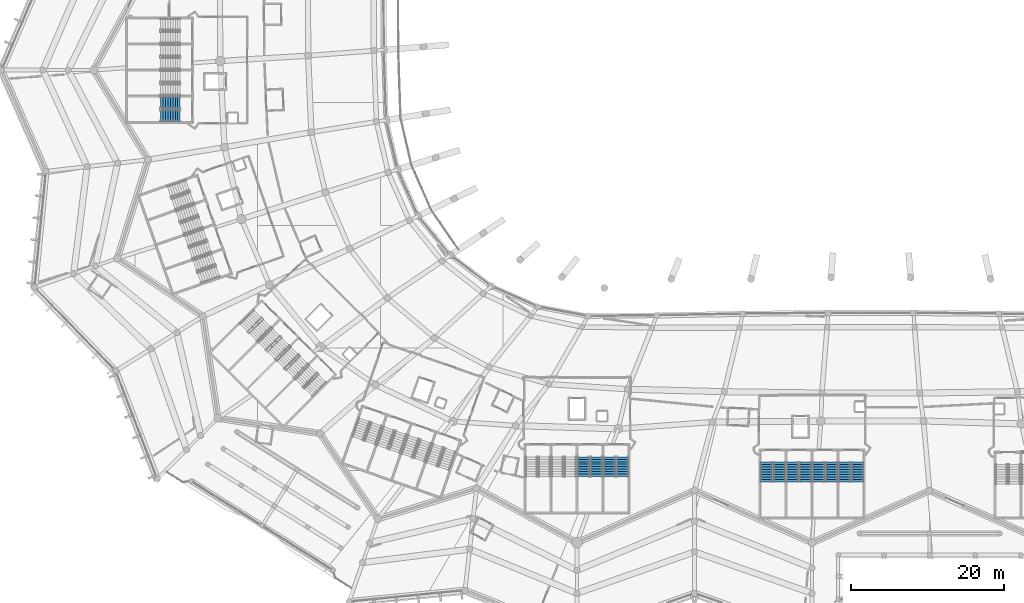
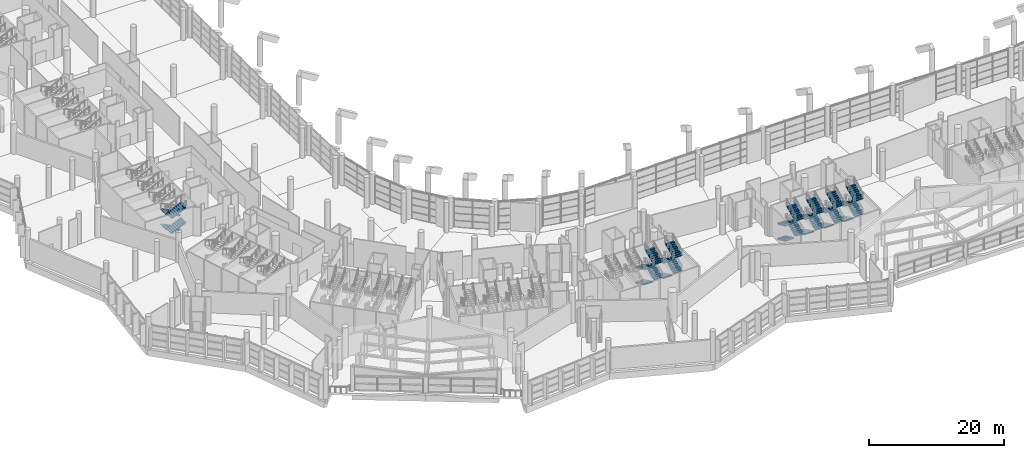
# One storey, part 207 of 271: 28 stair flights, 7 elements without a shape of their own.
"""IFC4 building model written with IfcOpenShell, lengths in metres."""

from ifc_helpers import new_model, si_unit, direction, frame, origin, place, context, subcontext, project, spatial, polyline, outline, extrude, material, type_object, element, aggregate, save


model = new_model("IFC4")

# Units and contexts
model_context = context("Model", 3, precision=1e-05, world=origin(), true_north=direction((0.0, 1.0)))
body_context = subcontext(model_context, "Body", "Model", "MODEL_VIEW")
ifc_project = project(units=[si_unit("LENGTHUNIT", "METRE"), si_unit("AREAUNIT", "SQUARE_METRE"), si_unit("VOLUMEUNIT", "CUBIC_METRE"), si_unit("PLANEANGLEUNIT", "RADIAN"), si_unit("MASSUNIT", "GRAM", prefix="KILO")], contexts=[model_context])

# Site, building, storey
site_placement = place(None, origin())
site = spatial("IfcSite", under=ifc_project, at=site_placement, CompositionType="ELEMENT")
building_placement = place(site_placement, origin())
building = spatial("IfcBuilding", under=site, at=building_placement, Name="Meseta Stadium", CompositionType="ELEMENT")
storey_placement = place(building_placement, frame((0.0, 0.0, 6.5)))
storey = spatial("IfcBuildingStorey", under=building, at=storey_placement, Name="L01", CompositionType="ELEMENT", Elevation=6.5)

# Stair, stair flights
ifc_material_1 = material(Name="Concrete C40/50", Category="concrete")
stair_type = type_object("IfcStairType", Name="Exit stair 4 flights 153 mm risers", PredefinedType="HALF_TURN_STAIR", material=ifc_material_1)
stair_1_placement = place(storey_placement, origin())
stair_1 = element("IfcStair", 1, at=stair_1_placement, inside=storey, type_object=stair_type, Name="ST76 L01", PredefinedType="HALF_TURN_STAIR")
ifc_material_2 = material(Name="Concrete C40/50", Category="concrete")
stair_flight_type = type_object("IfcStairFlightType", Name="Exit stair flight 153 mm risers, 4 per storey", PredefinedType="STRAIGHT", material=ifc_material_2)
stair_flight_1_placement = place(storey_placement, frame((-90.10009765625, -48.0, 0.0), z_axis=(0.0, 0.0, 1.0), x_axis=(-1.0, 0.0, 0.0)))
stair_flight_1 = element("IfcStairFlight", 2, at=stair_flight_1_placement, type_object=stair_flight_type, Name="ST76 L01 flight 1", NumberOfRisers=9, NumberOfTreads=8, PredefinedType="STRAIGHT", RiserHeight=0.152777778, TreadLength=0.32, context=body_context, shape_type="SweptSolid", body=[
    extrude(outline(polyline([(0.0, 0.0), (0.0, 0.15283203125), (0.320068359375, 0.15283203125), (0.320068359375, 0.3056640625), (0.639892578125, 0.3056640625), (0.639892578125, 0.458251953125), (0.9599609375, 0.458251953125), (0.9599609375, 0.611083984375), (1.280029296875, 0.611083984375), (1.280029296875, 0.763916015625), (1.60009765625, 0.763916015625), (1.60009765625, 0.916748046875), (1.919921875, 0.916748046875), (1.919921875, 1.0693359375), (2.239990234375, 1.0693359375), (2.239990234375, 1.22216796875), (2.56005859375, 1.22216796875), (2.56005859375, 1.05615234375), (0.347900390625, 0.0), (0.0, 0.0)])), frame((0.0, 0.75, 0.0), z_axis=(0.0, -1.0, 0.0), x_axis=(1.0, 0.0, 0.0)), (0.0, 0.0, 1.0), 1.5),
])
stair_flight_2_placement = place(storey_placement, frame((-92.659912109375, -49.699951171875, 1.375), z_axis=(0.0, 0.0, 1.0), x_axis=(1.0, 0.0, 0.0)))
stair_flight_2 = element("IfcStairFlight", 3, at=stair_flight_2_placement, type_object=stair_flight_type, Name="ST76 L01 flight 2", NumberOfRisers=9, NumberOfTreads=8, PredefinedType="STRAIGHT", RiserHeight=0.152777778, TreadLength=0.32, context=body_context, shape_type="SweptSolid", body=[
    extrude(outline(polyline([(0.0, 0.0), (0.0, 0.15283203125), (0.320068359375, 0.15283203125), (0.320068359375, 0.3056640625), (0.639892578125, 0.3056640625), (0.639892578125, 0.458251953125), (0.9599609375, 0.458251953125), (0.9599609375, 0.611083984375), (1.280029296875, 0.611083984375), (1.280029296875, 0.763916015625), (1.60009765625, 0.763916015625), (1.60009765625, 0.916748046875), (1.919921875, 0.916748046875), (1.919921875, 1.0693359375), (2.239990234375, 1.0693359375), (2.239990234375, 1.22216796875), (2.56005859375, 1.22216796875), (2.56005859375, 1.05615234375), (0.347900390625, 0.0), (0.0, 0.0)])), frame((0.0, 0.75, 0.0), z_axis=(0.0, -1.0, 0.0), x_axis=(1.0, 0.0, 0.0)), (0.0, 0.0, 1.0), 1.5),
])
stair_flight_3_placement = place(storey_placement, frame((-90.10009765625, -48.0, 2.75), z_axis=(0.0, 0.0, 1.0), x_axis=(-1.0, 0.0, 0.0)))
stair_flight_3 = element("IfcStairFlight", 4, at=stair_flight_3_placement, type_object=stair_flight_type, Name="ST76 L01 flight 3", NumberOfRisers=9, NumberOfTreads=8, PredefinedType="STRAIGHT", RiserHeight=0.152777778, TreadLength=0.32, context=body_context, shape_type="SweptSolid", body=[
    extrude(outline(polyline([(0.0, 0.0), (0.0, 0.15283203125), (0.320068359375, 0.15283203125), (0.320068359375, 0.3056640625), (0.639892578125, 0.3056640625), (0.639892578125, 0.458251953125), (0.9599609375, 0.458251953125), (0.9599609375, 0.611083984375), (1.280029296875, 0.611083984375), (1.280029296875, 0.763916015625), (1.60009765625, 0.763916015625), (1.60009765625, 0.916748046875), (1.919921875, 0.916748046875), (1.919921875, 1.0693359375), (2.239990234375, 1.0693359375), (2.239990234375, 1.22216796875), (2.56005859375, 1.22216796875), (2.56005859375, 1.05615234375), (0.347900390625, 0.0), (0.0, 0.0)])), frame((0.0, 0.75, 0.0), z_axis=(0.0, -1.0, 0.0), x_axis=(1.0, 0.0, 0.0)), (0.0, 0.0, 1.0), 1.5),
])
stair_flight_4_placement = place(storey_placement, frame((-92.659912109375, -49.699951171875, 4.125), z_axis=(0.0, 0.0, 1.0), x_axis=(1.0, 0.0, 0.0)))
stair_flight_4 = element("IfcStairFlight", 5, at=stair_flight_4_placement, type_object=stair_flight_type, Name="ST76 L01 flight 4", NumberOfRisers=9, NumberOfTreads=8, PredefinedType="STRAIGHT", RiserHeight=0.152777778, TreadLength=0.32, context=body_context, shape_type="SweptSolid", body=[
    extrude(outline(polyline([(0.0, 0.0), (0.0, 0.15283203125), (0.320068359375, 0.15283203125), (0.320068359375, 0.3056640625), (0.639892578125, 0.3056640625), (0.639892578125, 0.458251953125), (0.9599609375, 0.458251953125), (0.9599609375, 0.611083984375), (1.280029296875, 0.611083984375), (1.280029296875, 0.763916015625), (1.60009765625, 0.763916015625), (1.60009765625, 0.916748046875), (1.919921875, 0.916748046875), (1.919921875, 1.0693359375), (2.239990234375, 1.0693359375), (2.239990234375, 1.22216796875), (2.56005859375, 1.22216796875), (2.56005859375, 1.05615234375), (0.347900390625, 0.0), (0.0, 0.0)])), frame((0.0, 0.75, 0.0), z_axis=(0.0, -1.0, 0.0), x_axis=(1.0, 0.0, 0.0)), (0.0, 0.0, 1.0), 1.5),
])
aggregate(stair_1, [stair_flight_1, stair_flight_2, stair_flight_3, stair_flight_4])

stair_2_placement = place(storey_placement, origin())
stair_2 = element("IfcStair", 6, at=stair_2_placement, inside=storey, type_object=stair_type, Name="ST91 L01", PredefinedType="HALF_TURN_STAIR")
stair_flight_5_placement = place(storey_placement, frame((-37.4833984375, -94.199951171875, 0.0), z_axis=(0.0, 0.0, 1.0), x_axis=(0.0, -1.0, 0.0)))
stair_flight_5 = element("IfcStairFlight", 7, at=stair_flight_5_placement, type_object=stair_flight_type, Name="ST91 L01 flight 1", NumberOfRisers=9, NumberOfTreads=8, PredefinedType="STRAIGHT", RiserHeight=0.152777778, TreadLength=0.32, context=body_context, shape_type="SweptSolid", body=[
    extrude(outline(polyline([(0.0, 0.0), (0.0, 0.15283203125), (0.320068359375, 0.15283203125), (0.320068359375, 0.3056640625), (0.639892578125, 0.3056640625), (0.639892578125, 0.458251953125), (0.9599609375, 0.458251953125), (0.9599609375, 0.611083984375), (1.280029296875, 0.611083984375), (1.280029296875, 0.763916015625), (1.60009765625, 0.763916015625), (1.60009765625, 0.916748046875), (1.919921875, 0.916748046875), (1.919921875, 1.0693359375), (2.239990234375, 1.0693359375), (2.239990234375, 1.22216796875), (2.56005859375, 1.22216796875), (2.56005859375, 1.05615234375), (0.347900390625, 0.0), (0.0, 0.0)])), frame((0.0, 0.75, 0.0), z_axis=(0.0, -1.0, 0.0), x_axis=(1.0, 0.0, 0.0)), (0.0, 0.0, 1.0), 1.5),
])
stair_flight_6_placement = place(storey_placement, frame((-35.783447265625, -96.760009765625, 1.375), z_axis=(0.0, 0.0, 1.0), x_axis=(0.0, 1.0, 0.0)))
stair_flight_6 = element("IfcStairFlight", 8, at=stair_flight_6_placement, type_object=stair_flight_type, Name="ST91 L01 flight 2", NumberOfRisers=9, NumberOfTreads=8, PredefinedType="STRAIGHT", RiserHeight=0.152777778, TreadLength=0.32, context=body_context, shape_type="SweptSolid", body=[
    extrude(outline(polyline([(0.0, 0.0), (0.0, 0.15283203125), (0.320068359375, 0.15283203125), (0.320068359375, 0.3056640625), (0.639892578125, 0.3056640625), (0.639892578125, 0.458251953125), (0.9599609375, 0.458251953125), (0.9599609375, 0.611083984375), (1.280029296875, 0.611083984375), (1.280029296875, 0.763916015625), (1.60009765625, 0.763916015625), (1.60009765625, 0.916748046875), (1.919921875, 0.916748046875), (1.919921875, 1.0693359375), (2.239990234375, 1.0693359375), (2.239990234375, 1.22216796875), (2.56005859375, 1.22216796875), (2.56005859375, 1.05615234375), (0.347900390625, 0.0), (0.0, 0.0)])), frame((0.0, 0.75, 0.0), z_axis=(0.0, -1.0, 0.0), x_axis=(1.0, 0.0, 0.0)), (0.0, 0.0, 1.0), 1.5),
])
stair_flight_7_placement = place(storey_placement, frame((-37.4833984375, -94.199951171875, 2.75), z_axis=(0.0, 0.0, 1.0), x_axis=(0.0, -1.0, 0.0)))
stair_flight_7 = element("IfcStairFlight", 9, at=stair_flight_7_placement, type_object=stair_flight_type, Name="ST91 L01 flight 3", NumberOfRisers=9, NumberOfTreads=8, PredefinedType="STRAIGHT", RiserHeight=0.152777778, TreadLength=0.32, context=body_context, shape_type="SweptSolid", body=[
    extrude(outline(polyline([(0.0, 0.0), (0.0, 0.15283203125), (0.320068359375, 0.15283203125), (0.320068359375, 0.3056640625), (0.639892578125, 0.3056640625), (0.639892578125, 0.458251953125), (0.9599609375, 0.458251953125), (0.9599609375, 0.611083984375), (1.280029296875, 0.611083984375), (1.280029296875, 0.763916015625), (1.60009765625, 0.763916015625), (1.60009765625, 0.916748046875), (1.919921875, 0.916748046875), (1.919921875, 1.0693359375), (2.239990234375, 1.0693359375), (2.239990234375, 1.22216796875), (2.56005859375, 1.22216796875), (2.56005859375, 1.05615234375), (0.347900390625, 0.0), (0.0, 0.0)])), frame((0.0, 0.75, 0.0), z_axis=(0.0, -1.0, 0.0), x_axis=(1.0, 0.0, 0.0)), (0.0, 0.0, 1.0), 1.5),
])
stair_flight_8_placement = place(storey_placement, frame((-35.783447265625, -96.760009765625, 4.125), z_axis=(0.0, 0.0, 1.0), x_axis=(0.0, 1.0, 0.0)))
stair_flight_8 = element("IfcStairFlight", 10, at=stair_flight_8_placement, type_object=stair_flight_type, Name="ST91 L01 flight 4", NumberOfRisers=9, NumberOfTreads=8, PredefinedType="STRAIGHT", RiserHeight=0.152777778, TreadLength=0.32, context=body_context, shape_type="SweptSolid", body=[
    extrude(outline(polyline([(0.0, 0.0), (0.0, 0.15283203125), (0.320068359375, 0.15283203125), (0.320068359375, 0.3056640625), (0.639892578125, 0.3056640625), (0.639892578125, 0.458251953125), (0.9599609375, 0.458251953125), (0.9599609375, 0.611083984375), (1.280029296875, 0.611083984375), (1.280029296875, 0.763916015625), (1.60009765625, 0.763916015625), (1.60009765625, 0.916748046875), (1.919921875, 0.916748046875), (1.919921875, 1.0693359375), (2.239990234375, 1.0693359375), (2.239990234375, 1.22216796875), (2.56005859375, 1.22216796875), (2.56005859375, 1.05615234375), (0.347900390625, 0.0), (0.0, 0.0)])), frame((0.0, 0.75, 0.0), z_axis=(0.0, -1.0, 0.0), x_axis=(1.0, 0.0, 0.0)), (0.0, 0.0, 1.0), 1.5),
])
aggregate(stair_2, [stair_flight_5, stair_flight_6, stair_flight_7, stair_flight_8])

stair_3_placement = place(storey_placement, origin())
stair_3 = element("IfcStair", 11, at=stair_3_placement, inside=storey, type_object=stair_type, Name="ST92 L01", PredefinedType="HALF_TURN_STAIR")
stair_flight_9_placement = place(storey_placement, frame((-34.083251953125, -94.199951171875, 0.0), z_axis=(0.0, 0.0, 1.0), x_axis=(0.0, -1.0, 0.0)))
stair_flight_9 = element("IfcStairFlight", 12, at=stair_flight_9_placement, type_object=stair_flight_type, Name="ST92 L01 flight 1", NumberOfRisers=9, NumberOfTreads=8, PredefinedType="STRAIGHT", RiserHeight=0.152777778, TreadLength=0.32, context=body_context, shape_type="SweptSolid", body=[
    extrude(outline(polyline([(0.0, 0.0), (0.0, 0.15283203125), (0.320068359375, 0.15283203125), (0.320068359375, 0.3056640625), (0.639892578125, 0.3056640625), (0.639892578125, 0.458251953125), (0.9599609375, 0.458251953125), (0.9599609375, 0.611083984375), (1.280029296875, 0.611083984375), (1.280029296875, 0.763916015625), (1.60009765625, 0.763916015625), (1.60009765625, 0.916748046875), (1.919921875, 0.916748046875), (1.919921875, 1.0693359375), (2.239990234375, 1.0693359375), (2.239990234375, 1.22216796875), (2.56005859375, 1.22216796875), (2.56005859375, 1.05615234375), (0.347900390625, 0.0), (0.0, 0.0)])), frame((0.0, 0.75, 0.0), z_axis=(0.0, -1.0, 0.0), x_axis=(1.0, 0.0, 0.0)), (0.0, 0.0, 1.0), 1.5),
])
stair_flight_10_placement = place(storey_placement, frame((-32.38330078125, -96.760009765625, 1.375), z_axis=(0.0, 0.0, 1.0), x_axis=(0.0, 1.0, 0.0)))
stair_flight_10 = element("IfcStairFlight", 13, at=stair_flight_10_placement, type_object=stair_flight_type, Name="ST92 L01 flight 2", NumberOfRisers=9, NumberOfTreads=8, PredefinedType="STRAIGHT", RiserHeight=0.152777778, TreadLength=0.32, context=body_context, shape_type="SweptSolid", body=[
    extrude(outline(polyline([(0.0, 0.0), (0.0, 0.15283203125), (0.320068359375, 0.15283203125), (0.320068359375, 0.3056640625), (0.639892578125, 0.3056640625), (0.639892578125, 0.458251953125), (0.9599609375, 0.458251953125), (0.9599609375, 0.611083984375), (1.280029296875, 0.611083984375), (1.280029296875, 0.763916015625), (1.60009765625, 0.763916015625), (1.60009765625, 0.916748046875), (1.919921875, 0.916748046875), (1.919921875, 1.0693359375), (2.239990234375, 1.0693359375), (2.239990234375, 1.22216796875), (2.56005859375, 1.22216796875), (2.56005859375, 1.05615234375), (0.347900390625, 0.0), (0.0, 0.0)])), frame((0.0, 0.75, 0.0), z_axis=(0.0, -1.0, 0.0), x_axis=(1.0, 0.0, 0.0)), (0.0, 0.0, 1.0), 1.5),
])
stair_flight_11_placement = place(storey_placement, frame((-34.083251953125, -94.199951171875, 2.75), z_axis=(0.0, 0.0, 1.0), x_axis=(0.0, -1.0, 0.0)))
stair_flight_11 = element("IfcStairFlight", 14, at=stair_flight_11_placement, type_object=stair_flight_type, Name="ST92 L01 flight 3", NumberOfRisers=9, NumberOfTreads=8, PredefinedType="STRAIGHT", RiserHeight=0.152777778, TreadLength=0.32, context=body_context, shape_type="SweptSolid", body=[
    extrude(outline(polyline([(0.0, 0.0), (0.0, 0.15283203125), (0.320068359375, 0.15283203125), (0.320068359375, 0.3056640625), (0.639892578125, 0.3056640625), (0.639892578125, 0.458251953125), (0.9599609375, 0.458251953125), (0.9599609375, 0.611083984375), (1.280029296875, 0.611083984375), (1.280029296875, 0.763916015625), (1.60009765625, 0.763916015625), (1.60009765625, 0.916748046875), (1.919921875, 0.916748046875), (1.919921875, 1.0693359375), (2.239990234375, 1.0693359375), (2.239990234375, 1.22216796875), (2.56005859375, 1.22216796875), (2.56005859375, 1.05615234375), (0.347900390625, 0.0), (0.0, 0.0)])), frame((0.0, 0.75, 0.0), z_axis=(0.0, -1.0, 0.0), x_axis=(1.0, 0.0, 0.0)), (0.0, 0.0, 1.0), 1.5),
])
stair_flight_12_placement = place(storey_placement, frame((-32.38330078125, -96.760009765625, 4.125), z_axis=(0.0, 0.0, 1.0), x_axis=(0.0, 1.0, 0.0)))
stair_flight_12 = element("IfcStairFlight", 15, at=stair_flight_12_placement, type_object=stair_flight_type, Name="ST92 L01 flight 4", NumberOfRisers=9, NumberOfTreads=8, PredefinedType="STRAIGHT", RiserHeight=0.152777778, TreadLength=0.32, context=body_context, shape_type="SweptSolid", body=[
    extrude(outline(polyline([(0.0, 0.0), (0.0, 0.15283203125), (0.320068359375, 0.15283203125), (0.320068359375, 0.3056640625), (0.639892578125, 0.3056640625), (0.639892578125, 0.458251953125), (0.9599609375, 0.458251953125), (0.9599609375, 0.611083984375), (1.280029296875, 0.611083984375), (1.280029296875, 0.763916015625), (1.60009765625, 0.763916015625), (1.60009765625, 0.916748046875), (1.919921875, 0.916748046875), (1.919921875, 1.0693359375), (2.239990234375, 1.0693359375), (2.239990234375, 1.22216796875), (2.56005859375, 1.22216796875), (2.56005859375, 1.05615234375), (0.347900390625, 0.0), (0.0, 0.0)])), frame((0.0, 0.75, 0.0), z_axis=(0.0, -1.0, 0.0), x_axis=(1.0, 0.0, 0.0)), (0.0, 0.0, 1.0), 1.5),
])
aggregate(stair_3, [stair_flight_9, stair_flight_10, stair_flight_11, stair_flight_12])

stair_4_placement = place(storey_placement, origin())
stair_4 = element("IfcStair", 16, at=stair_4_placement, inside=storey, type_object=stair_type, Name="ST93 L01", PredefinedType="HALF_TURN_STAIR")
stair_flight_13_placement = place(storey_placement, frame((-13.61669921875, -94.89990234375, 0.0), z_axis=(0.0, 0.0, 1.0), x_axis=(0.0, -1.0, 0.0)))
stair_flight_13 = element("IfcStairFlight", 17, at=stair_flight_13_placement, type_object=stair_flight_type, Name="ST93 L01 flight 1", NumberOfRisers=9, NumberOfTreads=8, PredefinedType="STRAIGHT", RiserHeight=0.152777778, TreadLength=0.32, context=body_context, shape_type="SweptSolid", body=[
    extrude(outline(polyline([(0.0, 0.0), (0.0, 0.15283203125), (0.320068359375, 0.15283203125), (0.320068359375, 0.3056640625), (0.639892578125, 0.3056640625), (0.639892578125, 0.458251953125), (0.9599609375, 0.458251953125), (0.9599609375, 0.611083984375), (1.280029296875, 0.611083984375), (1.280029296875, 0.763916015625), (1.60009765625, 0.763916015625), (1.60009765625, 0.916748046875), (1.919921875, 0.916748046875), (1.919921875, 1.0693359375), (2.239990234375, 1.0693359375), (2.239990234375, 1.22216796875), (2.56005859375, 1.22216796875), (2.56005859375, 1.05615234375), (0.347900390625, 0.0), (0.0, 0.0)])), frame((0.0, 0.75, 0.0), z_axis=(0.0, -1.0, 0.0), x_axis=(1.0, 0.0, 0.0)), (0.0, 0.0, 1.0), 1.5),
])
stair_flight_14_placement = place(storey_placement, frame((-11.916748046875, -97.4599609375, 1.375), z_axis=(0.0, 0.0, 1.0), x_axis=(0.0, 1.0, 0.0)))
stair_flight_14 = element("IfcStairFlight", 18, at=stair_flight_14_placement, type_object=stair_flight_type, Name="ST93 L01 flight 2", NumberOfRisers=9, NumberOfTreads=8, PredefinedType="STRAIGHT", RiserHeight=0.152777778, TreadLength=0.32, context=body_context, shape_type="SweptSolid", body=[
    extrude(outline(polyline([(0.0, 0.0), (0.0, 0.15283203125), (0.320068359375, 0.15283203125), (0.320068359375, 0.3056640625), (0.639892578125, 0.3056640625), (0.639892578125, 0.458251953125), (0.9599609375, 0.458251953125), (0.9599609375, 0.611083984375), (1.280029296875, 0.611083984375), (1.280029296875, 0.763916015625), (1.60009765625, 0.763916015625), (1.60009765625, 0.916748046875), (1.919921875, 0.916748046875), (1.919921875, 1.0693359375), (2.239990234375, 1.0693359375), (2.239990234375, 1.22216796875), (2.56005859375, 1.22216796875), (2.56005859375, 1.05615234375), (0.347900390625, 0.0), (0.0, 0.0)])), frame((0.0, 0.75, 0.0), z_axis=(0.0, -1.0, 0.0), x_axis=(1.0, 0.0, 0.0)), (0.0, 0.0, 1.0), 1.5),
])
stair_flight_15_placement = place(storey_placement, frame((-13.61669921875, -94.89990234375, 2.75), z_axis=(0.0, 0.0, 1.0), x_axis=(0.0, -1.0, 0.0)))
stair_flight_15 = element("IfcStairFlight", 19, at=stair_flight_15_placement, type_object=stair_flight_type, Name="ST93 L01 flight 3", NumberOfRisers=9, NumberOfTreads=8, PredefinedType="STRAIGHT", RiserHeight=0.152777778, TreadLength=0.32, context=body_context, shape_type="SweptSolid", body=[
    extrude(outline(polyline([(0.0, 0.0), (0.0, 0.15283203125), (0.320068359375, 0.15283203125), (0.320068359375, 0.3056640625), (0.639892578125, 0.3056640625), (0.639892578125, 0.458251953125), (0.9599609375, 0.458251953125), (0.9599609375, 0.611083984375), (1.280029296875, 0.611083984375), (1.280029296875, 0.763916015625), (1.60009765625, 0.763916015625), (1.60009765625, 0.916748046875), (1.919921875, 0.916748046875), (1.919921875, 1.0693359375), (2.239990234375, 1.0693359375), (2.239990234375, 1.22216796875), (2.56005859375, 1.22216796875), (2.56005859375, 1.05615234375), (0.347900390625, 0.0), (0.0, 0.0)])), frame((0.0, 0.75, 0.0), z_axis=(0.0, -1.0, 0.0), x_axis=(1.0, 0.0, 0.0)), (0.0, 0.0, 1.0), 1.5),
])
stair_flight_16_placement = place(storey_placement, frame((-11.916748046875, -97.4599609375, 4.125), z_axis=(0.0, 0.0, 1.0), x_axis=(0.0, 1.0, 0.0)))
stair_flight_16 = element("IfcStairFlight", 20, at=stair_flight_16_placement, type_object=stair_flight_type, Name="ST93 L01 flight 4", NumberOfRisers=9, NumberOfTreads=8, PredefinedType="STRAIGHT", RiserHeight=0.152777778, TreadLength=0.32, context=body_context, shape_type="SweptSolid", body=[
    extrude(outline(polyline([(0.0, 0.0), (0.0, 0.15283203125), (0.320068359375, 0.15283203125), (0.320068359375, 0.3056640625), (0.639892578125, 0.3056640625), (0.639892578125, 0.458251953125), (0.9599609375, 0.458251953125), (0.9599609375, 0.611083984375), (1.280029296875, 0.611083984375), (1.280029296875, 0.763916015625), (1.60009765625, 0.763916015625), (1.60009765625, 0.916748046875), (1.919921875, 0.916748046875), (1.919921875, 1.0693359375), (2.239990234375, 1.0693359375), (2.239990234375, 1.22216796875), (2.56005859375, 1.22216796875), (2.56005859375, 1.05615234375), (0.347900390625, 0.0), (0.0, 0.0)])), frame((0.0, 0.75, 0.0), z_axis=(0.0, -1.0, 0.0), x_axis=(1.0, 0.0, 0.0)), (0.0, 0.0, 1.0), 1.5),
])
aggregate(stair_4, [stair_flight_13, stair_flight_14, stair_flight_15, stair_flight_16])

stair_5_placement = place(storey_placement, origin())
stair_5 = element("IfcStair", 21, at=stair_5_placement, inside=storey, type_object=stair_type, Name="ST94 L01", PredefinedType="HALF_TURN_STAIR")
stair_flight_17_placement = place(storey_placement, frame((-10.216552734375, -94.89990234375, 0.0), z_axis=(0.0, 0.0, 1.0), x_axis=(0.0, -1.0, 0.0)))
stair_flight_17 = element("IfcStairFlight", 22, at=stair_flight_17_placement, type_object=stair_flight_type, Name="ST94 L01 flight 1", NumberOfRisers=9, NumberOfTreads=8, PredefinedType="STRAIGHT", RiserHeight=0.152777778, TreadLength=0.32, context=body_context, shape_type="SweptSolid", body=[
    extrude(outline(polyline([(0.0, 0.0), (0.0, 0.15283203125), (0.320068359375, 0.15283203125), (0.320068359375, 0.3056640625), (0.639892578125, 0.3056640625), (0.639892578125, 0.458251953125), (0.9599609375, 0.458251953125), (0.9599609375, 0.611083984375), (1.280029296875, 0.611083984375), (1.280029296875, 0.763916015625), (1.60009765625, 0.763916015625), (1.60009765625, 0.916748046875), (1.919921875, 0.916748046875), (1.919921875, 1.0693359375), (2.239990234375, 1.0693359375), (2.239990234375, 1.22216796875), (2.56005859375, 1.22216796875), (2.56005859375, 1.05615234375), (0.347900390625, 0.0), (0.0, 0.0)])), frame((0.0, 0.75, 0.0), z_axis=(0.0, -1.0, 0.0), x_axis=(1.0, 0.0, 0.0)), (0.0, 0.0, 1.0), 1.5),
])
stair_flight_18_placement = place(storey_placement, frame((-8.5166015625, -97.4599609375, 1.375), z_axis=(0.0, 0.0, 1.0), x_axis=(0.0, 1.0, 0.0)))
stair_flight_18 = element("IfcStairFlight", 23, at=stair_flight_18_placement, type_object=stair_flight_type, Name="ST94 L01 flight 2", NumberOfRisers=9, NumberOfTreads=8, PredefinedType="STRAIGHT", RiserHeight=0.152777778, TreadLength=0.32, context=body_context, shape_type="SweptSolid", body=[
    extrude(outline(polyline([(0.0, 0.0), (0.0, 0.15283203125), (0.320068359375, 0.15283203125), (0.320068359375, 0.3056640625), (0.639892578125, 0.3056640625), (0.639892578125, 0.458251953125), (0.9599609375, 0.458251953125), (0.9599609375, 0.611083984375), (1.280029296875, 0.611083984375), (1.280029296875, 0.763916015625), (1.60009765625, 0.763916015625), (1.60009765625, 0.916748046875), (1.919921875, 0.916748046875), (1.919921875, 1.0693359375), (2.239990234375, 1.0693359375), (2.239990234375, 1.22216796875), (2.56005859375, 1.22216796875), (2.56005859375, 1.05615234375), (0.347900390625, 0.0), (0.0, 0.0)])), frame((0.0, 0.75, 0.0), z_axis=(0.0, -1.0, 0.0), x_axis=(1.0, 0.0, 0.0)), (0.0, 0.0, 1.0), 1.5),
])
stair_flight_19_placement = place(storey_placement, frame((-10.216552734375, -94.89990234375, 2.75), z_axis=(0.0, 0.0, 1.0), x_axis=(0.0, -1.0, 0.0)))
stair_flight_19 = element("IfcStairFlight", 24, at=stair_flight_19_placement, type_object=stair_flight_type, Name="ST94 L01 flight 3", NumberOfRisers=9, NumberOfTreads=8, PredefinedType="STRAIGHT", RiserHeight=0.152777778, TreadLength=0.32, context=body_context, shape_type="SweptSolid", body=[
    extrude(outline(polyline([(0.0, 0.0), (0.0, 0.15283203125), (0.320068359375, 0.15283203125), (0.320068359375, 0.3056640625), (0.639892578125, 0.3056640625), (0.639892578125, 0.458251953125), (0.9599609375, 0.458251953125), (0.9599609375, 0.611083984375), (1.280029296875, 0.611083984375), (1.280029296875, 0.763916015625), (1.60009765625, 0.763916015625), (1.60009765625, 0.916748046875), (1.919921875, 0.916748046875), (1.919921875, 1.0693359375), (2.239990234375, 1.0693359375), (2.239990234375, 1.22216796875), (2.56005859375, 1.22216796875), (2.56005859375, 1.05615234375), (0.347900390625, 0.0), (0.0, 0.0)])), frame((0.0, 0.75, 0.0), z_axis=(0.0, -1.0, 0.0), x_axis=(1.0, 0.0, 0.0)), (0.0, 0.0, 1.0), 1.5),
])
stair_flight_20_placement = place(storey_placement, frame((-8.5166015625, -97.4599609375, 4.125), z_axis=(0.0, 0.0, 1.0), x_axis=(0.0, 1.0, 0.0)))
stair_flight_20 = element("IfcStairFlight", 25, at=stair_flight_20_placement, type_object=stair_flight_type, Name="ST94 L01 flight 4", NumberOfRisers=9, NumberOfTreads=8, PredefinedType="STRAIGHT", RiserHeight=0.152777778, TreadLength=0.32, context=body_context, shape_type="SweptSolid", body=[
    extrude(outline(polyline([(0.0, 0.0), (0.0, 0.15283203125), (0.320068359375, 0.15283203125), (0.320068359375, 0.3056640625), (0.639892578125, 0.3056640625), (0.639892578125, 0.458251953125), (0.9599609375, 0.458251953125), (0.9599609375, 0.611083984375), (1.280029296875, 0.611083984375), (1.280029296875, 0.763916015625), (1.60009765625, 0.763916015625), (1.60009765625, 0.916748046875), (1.919921875, 0.916748046875), (1.919921875, 1.0693359375), (2.239990234375, 1.0693359375), (2.239990234375, 1.22216796875), (2.56005859375, 1.22216796875), (2.56005859375, 1.05615234375), (0.347900390625, 0.0), (0.0, 0.0)])), frame((0.0, 0.75, 0.0), z_axis=(0.0, -1.0, 0.0), x_axis=(1.0, 0.0, 0.0)), (0.0, 0.0, 1.0), 1.5),
])
aggregate(stair_5, [stair_flight_17, stair_flight_18, stair_flight_19, stair_flight_20])

stair_6_placement = place(storey_placement, origin())
stair_6 = element("IfcStair", 26, at=stair_6_placement, inside=storey, type_object=stair_type, Name="ST95 L01", PredefinedType="HALF_TURN_STAIR")
stair_flight_21_placement = place(storey_placement, frame((-6.816650390625, -94.89990234375, 0.0), z_axis=(0.0, 0.0, 1.0), x_axis=(0.0, -1.0, 0.0)))
stair_flight_21 = element("IfcStairFlight", 27, at=stair_flight_21_placement, type_object=stair_flight_type, Name="ST95 L01 flight 1", NumberOfRisers=9, NumberOfTreads=8, PredefinedType="STRAIGHT", RiserHeight=0.152777778, TreadLength=0.32, context=body_context, shape_type="SweptSolid", body=[
    extrude(outline(polyline([(0.0, 0.0), (0.0, 0.15283203125), (0.320068359375, 0.15283203125), (0.320068359375, 0.3056640625), (0.639892578125, 0.3056640625), (0.639892578125, 0.458251953125), (0.9599609375, 0.458251953125), (0.9599609375, 0.611083984375), (1.280029296875, 0.611083984375), (1.280029296875, 0.763916015625), (1.60009765625, 0.763916015625), (1.60009765625, 0.916748046875), (1.919921875, 0.916748046875), (1.919921875, 1.0693359375), (2.239990234375, 1.0693359375), (2.239990234375, 1.22216796875), (2.56005859375, 1.22216796875), (2.56005859375, 1.05615234375), (0.347900390625, 0.0), (0.0, 0.0)])), frame((0.0, 0.75, 0.0), z_axis=(0.0, -1.0, 0.0), x_axis=(1.0, 0.0, 0.0)), (0.0, 0.0, 1.0), 1.5),
])
stair_flight_22_placement = place(storey_placement, frame((-5.11669921875, -97.4599609375, 1.375), z_axis=(0.0, 0.0, 1.0), x_axis=(0.0, 1.0, 0.0)))
stair_flight_22 = element("IfcStairFlight", 28, at=stair_flight_22_placement, type_object=stair_flight_type, Name="ST95 L01 flight 2", NumberOfRisers=9, NumberOfTreads=8, PredefinedType="STRAIGHT", RiserHeight=0.152777778, TreadLength=0.32, context=body_context, shape_type="SweptSolid", body=[
    extrude(outline(polyline([(0.0, 0.0), (0.0, 0.15283203125), (0.320068359375, 0.15283203125), (0.320068359375, 0.3056640625), (0.639892578125, 0.3056640625), (0.639892578125, 0.458251953125), (0.9599609375, 0.458251953125), (0.9599609375, 0.611083984375), (1.280029296875, 0.611083984375), (1.280029296875, 0.763916015625), (1.60009765625, 0.763916015625), (1.60009765625, 0.916748046875), (1.919921875, 0.916748046875), (1.919921875, 1.0693359375), (2.239990234375, 1.0693359375), (2.239990234375, 1.22216796875), (2.56005859375, 1.22216796875), (2.56005859375, 1.05615234375), (0.347900390625, 0.0), (0.0, 0.0)])), frame((0.0, 0.75, 0.0), z_axis=(0.0, -1.0, 0.0), x_axis=(1.0, 0.0, 0.0)), (0.0, 0.0, 1.0), 1.5),
])
stair_flight_23_placement = place(storey_placement, frame((-6.816650390625, -94.89990234375, 2.75), z_axis=(0.0, 0.0, 1.0), x_axis=(0.0, -1.0, 0.0)))
stair_flight_23 = element("IfcStairFlight", 29, at=stair_flight_23_placement, type_object=stair_flight_type, Name="ST95 L01 flight 3", NumberOfRisers=9, NumberOfTreads=8, PredefinedType="STRAIGHT", RiserHeight=0.152777778, TreadLength=0.32, context=body_context, shape_type="SweptSolid", body=[
    extrude(outline(polyline([(0.0, 0.0), (0.0, 0.15283203125), (0.320068359375, 0.15283203125), (0.320068359375, 0.3056640625), (0.639892578125, 0.3056640625), (0.639892578125, 0.458251953125), (0.9599609375, 0.458251953125), (0.9599609375, 0.611083984375), (1.280029296875, 0.611083984375), (1.280029296875, 0.763916015625), (1.60009765625, 0.763916015625), (1.60009765625, 0.916748046875), (1.919921875, 0.916748046875), (1.919921875, 1.0693359375), (2.239990234375, 1.0693359375), (2.239990234375, 1.22216796875), (2.56005859375, 1.22216796875), (2.56005859375, 1.05615234375), (0.347900390625, 0.0), (0.0, 0.0)])), frame((0.0, 0.75, 0.0), z_axis=(0.0, -1.0, 0.0), x_axis=(1.0, 0.0, 0.0)), (0.0, 0.0, 1.0), 1.5),
])
stair_flight_24_placement = place(storey_placement, frame((-5.11669921875, -97.4599609375, 4.125), z_axis=(0.0, 0.0, 1.0), x_axis=(0.0, 1.0, 0.0)))
stair_flight_24 = element("IfcStairFlight", 30, at=stair_flight_24_placement, type_object=stair_flight_type, Name="ST95 L01 flight 4", NumberOfRisers=9, NumberOfTreads=8, PredefinedType="STRAIGHT", RiserHeight=0.152777778, TreadLength=0.32, context=body_context, shape_type="SweptSolid", body=[
    extrude(outline(polyline([(0.0, 0.0), (0.0, 0.15283203125), (0.320068359375, 0.15283203125), (0.320068359375, 0.3056640625), (0.639892578125, 0.3056640625), (0.639892578125, 0.458251953125), (0.9599609375, 0.458251953125), (0.9599609375, 0.611083984375), (1.280029296875, 0.611083984375), (1.280029296875, 0.763916015625), (1.60009765625, 0.763916015625), (1.60009765625, 0.916748046875), (1.919921875, 0.916748046875), (1.919921875, 1.0693359375), (2.239990234375, 1.0693359375), (2.239990234375, 1.22216796875), (2.56005859375, 1.22216796875), (2.56005859375, 1.05615234375), (0.347900390625, 0.0), (0.0, 0.0)])), frame((0.0, 0.75, 0.0), z_axis=(0.0, -1.0, 0.0), x_axis=(1.0, 0.0, 0.0)), (0.0, 0.0, 1.0), 1.5),
])
aggregate(stair_6, [stair_flight_21, stair_flight_22, stair_flight_23, stair_flight_24])

stair_7_placement = place(storey_placement, origin())
stair_7 = element("IfcStair", 31, at=stair_7_placement, inside=storey, type_object=stair_type, Name="ST96 L01", PredefinedType="HALF_TURN_STAIR")
stair_flight_25_placement = place(storey_placement, frame((-3.416748046875, -94.89990234375, 0.0), z_axis=(0.0, 0.0, 1.0), x_axis=(0.0, -1.0, 0.0)))
stair_flight_25 = element("IfcStairFlight", 32, at=stair_flight_25_placement, type_object=stair_flight_type, Name="ST96 L01 flight 1", NumberOfRisers=9, NumberOfTreads=8, PredefinedType="STRAIGHT", RiserHeight=0.152777778, TreadLength=0.32, context=body_context, shape_type="SweptSolid", body=[
    extrude(outline(polyline([(0.0, 0.0), (0.0, 0.15283203125), (0.320068359375, 0.15283203125), (0.320068359375, 0.3056640625), (0.639892578125, 0.3056640625), (0.639892578125, 0.458251953125), (0.9599609375, 0.458251953125), (0.9599609375, 0.611083984375), (1.280029296875, 0.611083984375), (1.280029296875, 0.763916015625), (1.60009765625, 0.763916015625), (1.60009765625, 0.916748046875), (1.919921875, 0.916748046875), (1.919921875, 1.0693359375), (2.239990234375, 1.0693359375), (2.239990234375, 1.22216796875), (2.56005859375, 1.22216796875), (2.56005859375, 1.05615234375), (0.347900390625, 0.0), (0.0, 0.0)])), frame((0.0, 0.75, 0.0), z_axis=(0.0, -1.0, 0.0), x_axis=(1.0, 0.0, 0.0)), (0.0, 0.0, 1.0), 1.5),
])
stair_flight_26_placement = place(storey_placement, frame((-1.716552734375, -97.4599609375, 1.375), z_axis=(0.0, 0.0, 1.0), x_axis=(0.0, 1.0, 0.0)))
stair_flight_26 = element("IfcStairFlight", 33, at=stair_flight_26_placement, type_object=stair_flight_type, Name="ST96 L01 flight 2", NumberOfRisers=9, NumberOfTreads=8, PredefinedType="STRAIGHT", RiserHeight=0.152777778, TreadLength=0.32, context=body_context, shape_type="SweptSolid", body=[
    extrude(outline(polyline([(0.0, 0.0), (0.0, 0.15283203125), (0.320068359375, 0.15283203125), (0.320068359375, 0.3056640625), (0.639892578125, 0.3056640625), (0.639892578125, 0.458251953125), (0.9599609375, 0.458251953125), (0.9599609375, 0.611083984375), (1.280029296875, 0.611083984375), (1.280029296875, 0.763916015625), (1.60009765625, 0.763916015625), (1.60009765625, 0.916748046875), (1.919921875, 0.916748046875), (1.919921875, 1.0693359375), (2.239990234375, 1.0693359375), (2.239990234375, 1.22216796875), (2.56005859375, 1.22216796875), (2.56005859375, 1.05615234375), (0.347900390625, 0.0), (0.0, 0.0)])), frame((0.0, 0.75, 0.0), z_axis=(0.0, -1.0, 0.0), x_axis=(1.0, 0.0, 0.0)), (0.0, 0.0, 1.0), 1.5),
])
stair_flight_27_placement = place(storey_placement, frame((-3.416748046875, -94.89990234375, 2.75), z_axis=(0.0, 0.0, 1.0), x_axis=(0.0, -1.0, 0.0)))
stair_flight_27 = element("IfcStairFlight", 34, at=stair_flight_27_placement, type_object=stair_flight_type, Name="ST96 L01 flight 3", NumberOfRisers=9, NumberOfTreads=8, PredefinedType="STRAIGHT", RiserHeight=0.152777778, TreadLength=0.32, context=body_context, shape_type="SweptSolid", body=[
    extrude(outline(polyline([(0.0, 0.0), (0.0, 0.15283203125), (0.320068359375, 0.15283203125), (0.320068359375, 0.3056640625), (0.639892578125, 0.3056640625), (0.639892578125, 0.458251953125), (0.9599609375, 0.458251953125), (0.9599609375, 0.611083984375), (1.280029296875, 0.611083984375), (1.280029296875, 0.763916015625), (1.60009765625, 0.763916015625), (1.60009765625, 0.916748046875), (1.919921875, 0.916748046875), (1.919921875, 1.0693359375), (2.239990234375, 1.0693359375), (2.239990234375, 1.22216796875), (2.56005859375, 1.22216796875), (2.56005859375, 1.05615234375), (0.347900390625, 0.0), (0.0, 0.0)])), frame((0.0, 0.75, 0.0), z_axis=(0.0, -1.0, 0.0), x_axis=(1.0, 0.0, 0.0)), (0.0, 0.0, 1.0), 1.5),
])
stair_flight_28_placement = place(storey_placement, frame((-1.716552734375, -97.4599609375, 4.125), z_axis=(0.0, 0.0, 1.0), x_axis=(0.0, 1.0, 0.0)))
stair_flight_28 = element("IfcStairFlight", 35, at=stair_flight_28_placement, type_object=stair_flight_type, Name="ST96 L01 flight 4", NumberOfRisers=9, NumberOfTreads=8, PredefinedType="STRAIGHT", RiserHeight=0.152777778, TreadLength=0.32, context=body_context, shape_type="SweptSolid", body=[
    extrude(outline(polyline([(0.0, 0.0), (0.0, 0.15283203125), (0.320068359375, 0.15283203125), (0.320068359375, 0.3056640625), (0.639892578125, 0.3056640625), (0.639892578125, 0.458251953125), (0.9599609375, 0.458251953125), (0.9599609375, 0.611083984375), (1.280029296875, 0.611083984375), (1.280029296875, 0.763916015625), (1.60009765625, 0.763916015625), (1.60009765625, 0.916748046875), (1.919921875, 0.916748046875), (1.919921875, 1.0693359375), (2.239990234375, 1.0693359375), (2.239990234375, 1.22216796875), (2.56005859375, 1.22216796875), (2.56005859375, 1.05615234375), (0.347900390625, 0.0), (0.0, 0.0)])), frame((0.0, 0.75, 0.0), z_axis=(0.0, -1.0, 0.0), x_axis=(1.0, 0.0, 0.0)), (0.0, 0.0, 1.0), 1.5),
])
aggregate(stair_7, [stair_flight_25, stair_flight_26, stair_flight_27, stair_flight_28])

save(model, "model.ifc")
